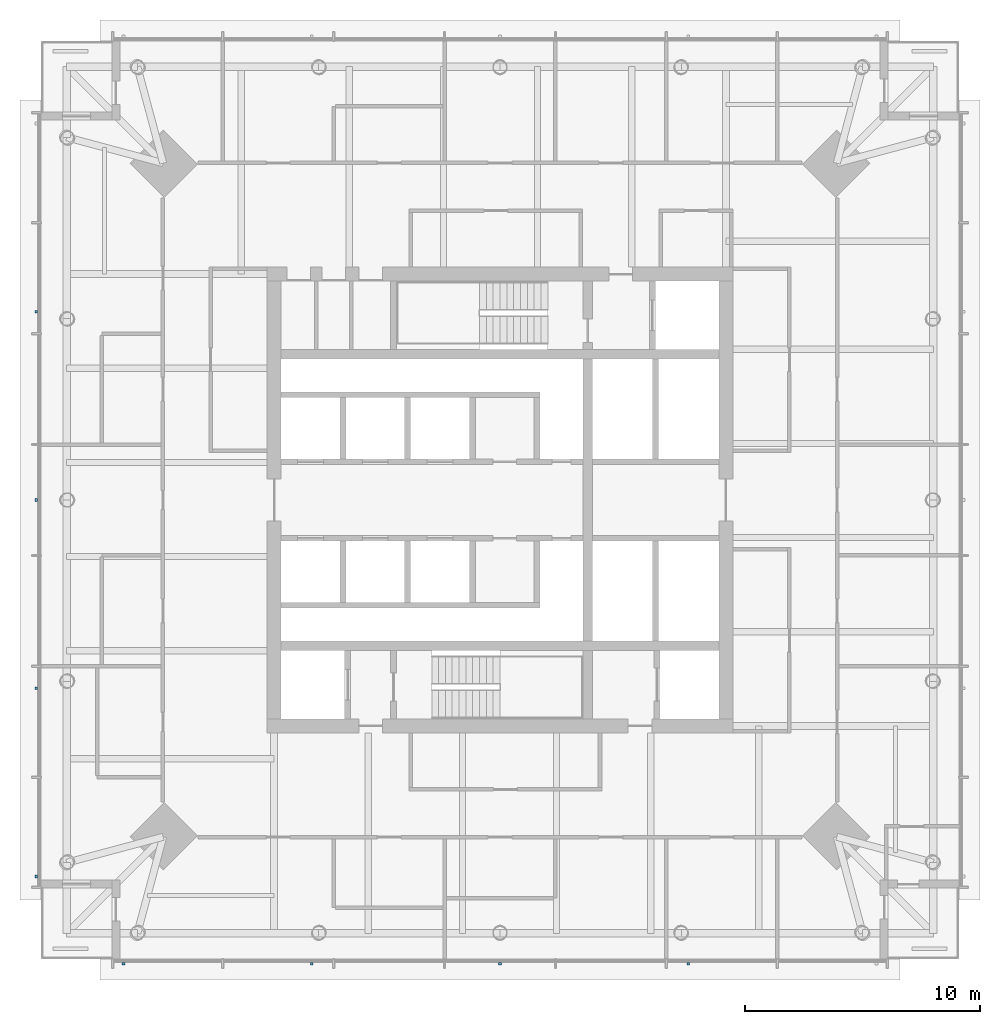
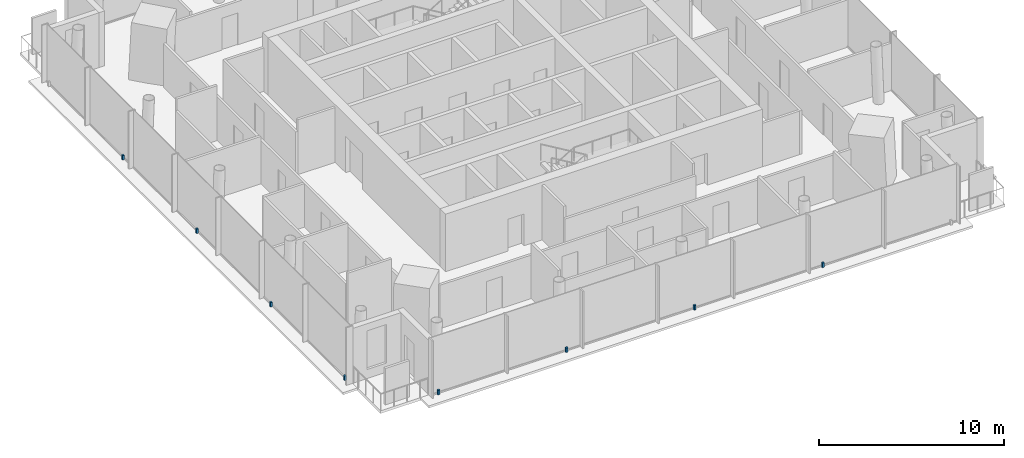
# One storey, part 8 of 11: 8 discrete accessories.
"""IFC4 building model written with IfcOpenShell, lengths in metres."""

from ifc_helpers import new_model, si_unit, direction, frame, origin, origin_2d, place, context, subcontext, project, spatial, rectangle, extrude, material, type_object, element, save


model = new_model("IFC4")

# Units and contexts
model_context = context("Model", 3, precision=1e-05, world=origin(), true_north=direction((0.0, 1.0)))
body_context = subcontext(model_context, "Body", "Model", "MODEL_VIEW")
ifc_project = project(units=[si_unit("LENGTHUNIT", "METRE"), si_unit("AREAUNIT", "SQUARE_METRE"), si_unit("VOLUMEUNIT", "CUBIC_METRE"), si_unit("PLANEANGLEUNIT", "RADIAN"), si_unit("MASSUNIT", "GRAM", prefix="KILO")], contexts=[model_context])

# Site, building, storey
site_placement = place(None, origin())
site = spatial("IfcSite", under=ifc_project, at=site_placement, CompositionType="ELEMENT")
building_placement = place(site_placement, origin())
building = spatial("IfcBuilding", under=site, at=building_placement, Name="Ostroluk Exchange", CompositionType="ELEMENT")
storey_placement = place(building_placement, frame((0.0, 0.0, 195.800048828125)))
storey = spatial("IfcBuildingStorey", under=building, at=storey_placement, Name="L50", CompositionType="ELEMENT", Elevation=195.800048828125)

# Discrete accessories
ifc_material = material(Name="Stainless steel", Category="steel")
discrete_accessory_type = type_object("IfcDiscreteAccessoryType", Name="Fall-arrest anchor PN-EN 795 type C", PredefinedType="USERDEFINED", material=ifc_material)
for number, where, z_axis, x_axis, name in (
    (1, (29.0, 26.2900390625, 0.0), (0.0, 0.0, 1.0), (1.0, 0.0, 0.0), "Fall-arrest anchor L50 south 1"),
    (2, (37.0, 26.2900390625, 0.0), (0.0, 0.0, 1.0), (1.0, 0.0, 0.0), "Fall-arrest anchor L50 south 2"),
    (3, (45.0, 26.2900390625, 0.0), (0.0, 0.0, 1.0), (1.0, 0.0, 0.0), "Fall-arrest anchor L50 south 3"),
    (4, (53.0, 26.2900390625, 0.0), (0.0, 0.0, 1.0), (1.0, 0.0, 0.0), "Fall-arrest anchor L50 south 4"),
    (5, (25.2900390625, 30.0, 0.0), (0.0, 0.0, 1.0), (1.0, 0.0, 0.0), "Fall-arrest anchor L50 west 1"),
    (6, (25.2900390625, 38.0, 0.0), (0.0, 0.0, 1.0), (1.0, 0.0, 0.0), "Fall-arrest anchor L50 west 2"),
    (7, (25.2900390625, 46.0, 0.0), (0.0, 0.0, 1.0), (1.0, 0.0, 0.0), "Fall-arrest anchor L50 west 3"),
    (8, (25.2900390625, 54.0, 0.0), (0.0, 0.0, 1.0), (1.0, 0.0, 0.0), "Fall-arrest anchor L50 west 4"),
):
    element("IfcDiscreteAccessory", number, at=place(storey_placement, frame(where, z_axis=z_axis, x_axis=x_axis)), inside=storey, type_object=discrete_accessory_type, Name=name, ObjectType="FALL ARREST ANCHOR", PredefinedType="USERDEFINED", context=body_context, shape_type="SweptSolid", body=[
        extrude(rectangle(XDim=0.1201171875, YDim=0.1201171875, at=origin_2d()), origin(), (0.0, 0.0, 1.0), 0.300048828125),
    ])

save(model, "model.ifc")
